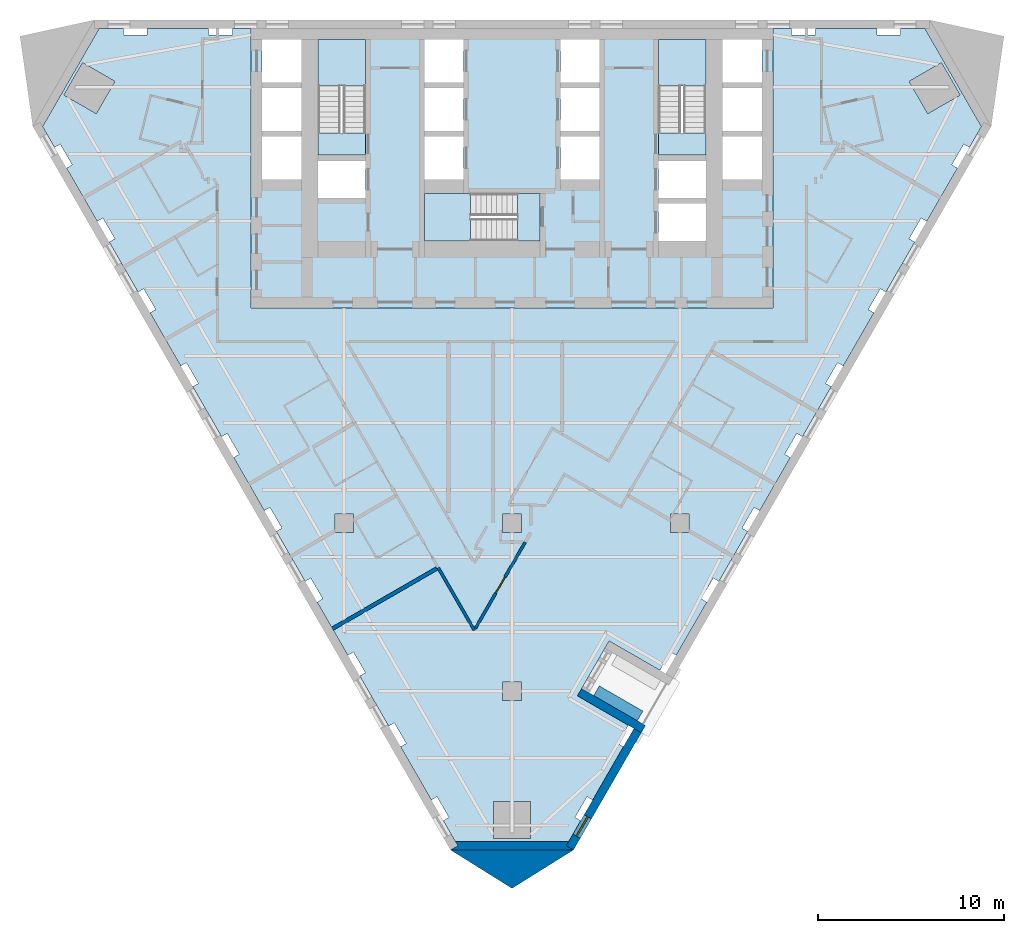
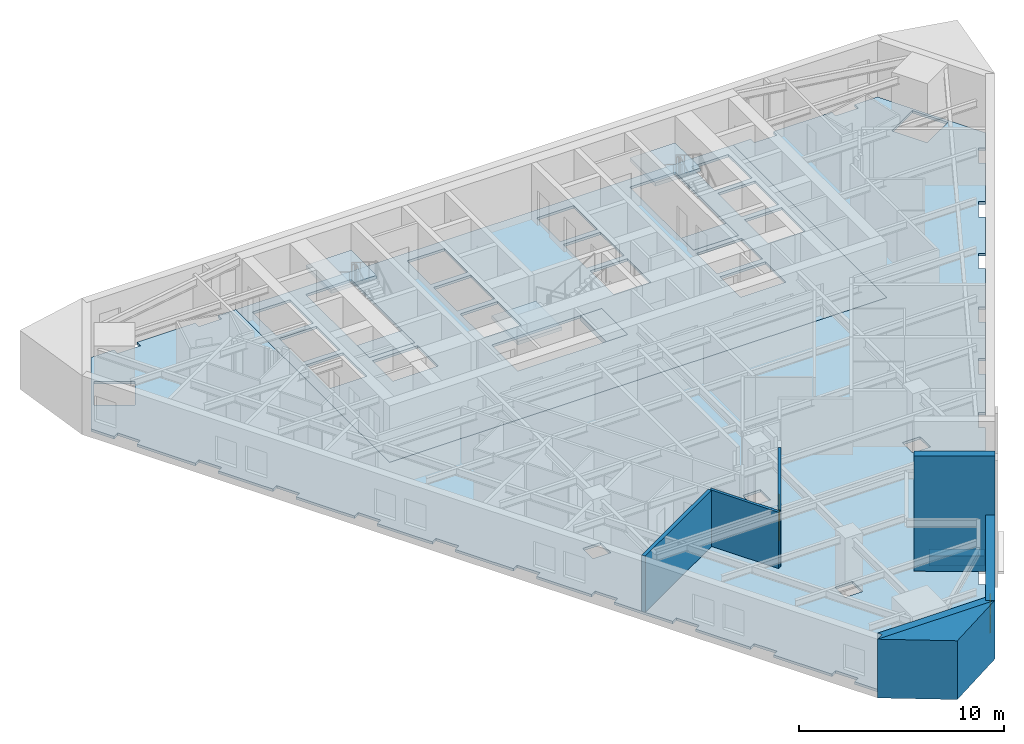
# One storey, part 2 of 11: 8 slabs, 8 walls, 1 door, 1 window, 2 openings, 3 elements without a shape of their own.
"""IFC4 building model written with IfcOpenShell, lengths in metres."""

import ifcopenshell
import ifcopenshell.guid

model = None  # the IFC model being written
_history = None  # IfcOwnerHistory: only IFC2X3 demands one
_inside = {}  # id of a spatial element -> (the spatial element, [elements in it])
_under = {}  # id of a project, library or spatial element -> (it, [spatial elements below it])
_declared = {}  # id of a project -> (the project, [libraries it declares])
_typed = {}  # id of a type object -> (the type object, [elements of that type])
_made_of = {}  # id of a material, layer set ... -> (it, [elements and type objects made of it])


def new_model(schema):
    """Start an empty IFC model of exactly this schema.

    Asked for "IFC4X3", IfcOpenShell would pick the latest addendum, in which some entities
    have other attributes; the version numbers below select the first issue.
    IFC2X3 requires an IfcOwnerHistory on every rooted entity: one is made here for all.
    """
    global model, _history
    if schema == "IFC4X3":
        model = ifcopenshell.file(schema_version=(4, 3, 0, 0))
    else:
        model = ifcopenshell.file(schema=schema)
    _inside.clear()
    _under.clear()
    _declared.clear()
    _typed.clear()
    _made_of.clear()
    _history = None
    if model.schema == "IFC2X3":
        org = make("IfcOrganization", Name="unknown")
        user = make(
            "IfcPersonAndOrganization",
            ThePerson=make("IfcPerson", FamilyName="unknown"),
            TheOrganization=org,
        )
        app = make(
            "IfcApplication",
            ApplicationDeveloper=org,
            Version="unknown",
            ApplicationFullName="unknown",
            ApplicationIdentifier="unknown",
        )
        _history = make(
            "IfcOwnerHistory",
            OwningUser=user,
            OwningApplication=app,
            ChangeAction="ADDED",
            CreationDate=0,
        )
    return model


def make(cls, **values):
    """One entity of the class cls with the attributes given. An attribute that is None is left unset."""
    return model.create_entity(
        cls, **{name: value for name, value in values.items() if value is not None}
    )


def rooted(cls, **values):
    """An entity with a GlobalId (a new one), such as an element, a storey or a relation."""
    return make(cls, GlobalId=ifcopenshell.guid.new(), OwnerHistory=_history, **values)


def si_unit(unit_type, name, prefix=None):
    """IfcSIUnit, for example si_unit("LENGTHUNIT", "METRE", prefix="MILLI")."""
    return make("IfcSIUnit", UnitType=unit_type, Prefix=prefix, Name=name)


def assignment(units):
    """IfcUnitAssignment: the units of a project."""
    return None if units is None else make("IfcUnitAssignment", Units=units)


def point(xyz):
    """IfcCartesianPoint."""
    return None if xyz is None else make("IfcCartesianPoint", Coordinates=xyz)


def direction(xyz):
    """IfcDirection."""
    return None if xyz is None else make("IfcDirection", DirectionRatios=xyz)


def frame(location, z_axis=None, x_axis=None):
    """IfcAxis2Placement3D, a coordinate frame: its origin and axes. An axis left out is left unset."""
    return make(
        "IfcAxis2Placement3D",
        Location=point(location),
        Axis=direction(z_axis),
        RefDirection=direction(x_axis),
    )


def frame_2d(location, x_axis=None):
    """IfcAxis2Placement2D, a coordinate frame in the plane: its origin and x axis."""
    return make(
        "IfcAxis2Placement2D", Location=point(location), RefDirection=direction(x_axis)
    )


def origin():
    """The frame at (0, 0, 0) with its axes left unset."""
    return frame((0.0, 0.0, 0.0))


def place(relative_to, where):
    """IfcLocalPlacement: puts the frame where relative to a parent placement (None: the world)."""
    return make(
        "IfcLocalPlacement", PlacementRelTo=relative_to, RelativePlacement=where
    )


def context(
    kind, dimensions, precision=None, world=None, true_north=None, identifier=None
):
    """IfcGeometricRepresentationContext, for example the 3D "Model" context."""
    return make(
        "IfcGeometricRepresentationContext",
        ContextIdentifier=identifier,
        ContextType=kind,
        CoordinateSpaceDimension=dimensions,
        Precision=precision,
        WorldCoordinateSystem=world,
        TrueNorth=true_north,
    )


def subcontext(parent, identifier, kind, view, scale=None):
    """IfcGeometricRepresentationSubContext, for example "Body" below "Model"."""
    return make(
        "IfcGeometricRepresentationSubContext",
        ContextIdentifier=identifier,
        ContextType=kind,
        ParentContext=parent,
        TargetScale=scale,
        TargetView=view,
    )


def project(units=None, contexts=None):
    """IfcProject with its units and contexts."""
    return rooted(
        "IfcProject",
        Name="project",
        RepresentationContexts=contexts,
        UnitsInContext=assignment(units),
    )


def spatial(cls, under=None, at=None, **own):
    """A site, building, storey or space (cls), placed at a placement, below another one or the project."""
    s = rooted(cls, ObjectPlacement=at, **own)
    if under is not None:
        _under.setdefault(under.id(), (under, []))[1].append(s)
    return s


def polyline(points):
    """IfcPolyline through the points."""
    return make("IfcPolyline", Points=[point(p) for p in points])


def profile(cls, at=None, kind="AREA", **sizes):
    """A parametric profile (cls). Its sizes go by their IFC names, for example OverallWidth=200.0."""
    return make(cls, ProfileType=kind, Position=at, **sizes)


def rectangle(**sizes):
    """IfcRectangleProfileDef."""
    return profile("IfcRectangleProfileDef", **sizes)


def outline(outer, holes=None, kind="AREA"):
    """IfcArbitraryClosedProfileDef: a profile drawn as a closed curve; with holes, ...WithVoids."""
    if holes is None:
        return make("IfcArbitraryClosedProfileDef", ProfileType=kind, OuterCurve=outer)
    return make(
        "IfcArbitraryProfileDefWithVoids",
        ProfileType=kind,
        OuterCurve=outer,
        InnerCurves=holes,
    )


def extrude(swept, where, along, depth):
    """IfcExtrudedAreaSolid: the profile swept, set in the frame where, extruded along a direction by depth."""
    return make(
        "IfcExtrudedAreaSolid",
        SweptArea=swept,
        Position=where,
        ExtrudedDirection=direction(along),
        Depth=depth,
    )


def shape(context_of_items, identifier, shape_type, items):
    """IfcShapeRepresentation: the items that make up one representation, for example the "Body"."""
    return make(
        "IfcShapeRepresentation",
        ContextOfItems=context_of_items,
        RepresentationIdentifier=identifier,
        RepresentationType=shape_type,
        Items=items,
    )


def material(Name=None, Category=None):
    """IfcMaterial."""
    return make("IfcMaterial", Name=Name, Category=Category)


def layer(
    of_material, thickness, ventilated=None, Name=None, Category=None, Priority=None
):
    """IfcMaterialLayer: one layer of a wall or slab, of a material (None: an air gap)."""
    return make(
        "IfcMaterialLayer",
        Material=of_material,
        LayerThickness=thickness,
        IsVentilated=ventilated,
        Name=Name,
        Category=Category,
        Priority=Priority,
    )


def layer_set(layers, Name=None):
    """IfcMaterialLayerSet."""
    return make("IfcMaterialLayerSet", MaterialLayers=layers, LayerSetName=Name)


def made_of(thing, what):
    """Note that an element or type object is made of a material, layer set ...; save() writes the relation."""
    if what is not None:
        _made_of.setdefault(what.id(), (what, []))[1].append(thing)
    return thing


def type_object(cls, material=None, **own):
    """A type object (cls), such as IfcWallType, which elements share."""
    return made_of(rooted(cls, **own), material)


def element(
    cls,
    number,
    at=None,
    inside=None,
    cuts=None,
    type_object=None,
    material=None,
    context=None,
    identifier="Body",
    shape_type=None,
    held_by="IfcProductDefinitionShape",
    body=None,
    shapes=None,
    **own,
):
    """One element of the class cls, such as IfcWall. Its Tag is "e" and its number.

    at: its placement. inside: the storey or other place that contains it. cuts: it is an
    opening in that element (IfcRelVoidsElement). A single representation is given by context,
    identifier, shape_type and body (its items); several are given by shapes. held_by: the class
    of the entity that holds the representations. save() writes the other relations.
    """
    e = rooted(cls, Tag="e%d" % number, ObjectPlacement=at, **own)
    if body is not None:
        shapes = [shape(context, identifier, shape_type, body)]
    if shapes is not None:
        e.Representation = make(held_by, Representations=shapes)
    if inside is not None:
        _inside.setdefault(inside.id(), (inside, []))[1].append(e)
    if cuts is not None:
        rooted(
            "IfcRelVoidsElement", RelatingBuildingElement=cuts, RelatedOpeningElement=e
        )
    if type_object is not None:
        _typed.setdefault(type_object.id(), (type_object, []))[1].append(e)
    return made_of(e, material)


def fill(opening, filler):
    """IfcRelFillsElement: the door or window that sits in an opening."""
    return rooted(
        "IfcRelFillsElement",
        RelatingOpeningElement=opening,
        RelatedBuildingElement=filler,
    )


def aggregate(whole, parts):
    """IfcRelAggregates: a whole, such as a stair, and the parts it consists of."""
    return rooted("IfcRelAggregates", RelatingObject=whole, RelatedObjects=parts)


def save(model, path):
    """Write the relations noted so far, then the file.

    IfcRelAggregates (storeys below a building ...), IfcRelContainedInSpatialStructure (elements
    in a storey), IfcRelDefinesByType, IfcRelAssociatesMaterial and IfcRelDeclares: one each for
    every whole, place, type object, material and project.
    """
    for whole, parts in _under.values():
        aggregate(whole, parts)
    for where, things in _inside.values():
        rooted(
            "IfcRelContainedInSpatialStructure",
            RelatedElements=things,
            RelatingStructure=where,
        )
    for kind, things in _typed.values():
        rooted("IfcRelDefinesByType", RelatedObjects=things, RelatingType=kind)
    for what, things in _made_of.values():
        rooted("IfcRelAssociatesMaterial", RelatedObjects=things, RelatingMaterial=what)
    for by, libraries in _declared.values():
        rooted("IfcRelDeclares", RelatingContext=by, RelatedDefinitions=libraries)
    model.write(path)


model = new_model("IFC4")

# Units and contexts
model_context = context("Model", 3, precision=1e-05, world=origin(), true_north=direction((0.0, 1.0)))
body_context = subcontext(model_context, "Body", "Model", "MODEL_VIEW")
ifc_project = project(units=[si_unit("LENGTHUNIT", "METRE"), si_unit("AREAUNIT", "SQUARE_METRE"), si_unit("VOLUMEUNIT", "CUBIC_METRE"), si_unit("PLANEANGLEUNIT", "RADIAN"), si_unit("MASSUNIT", "GRAM", prefix="KILO")], contexts=[model_context])

# Site, building, storey
site_placement = place(None, origin())
site = spatial("IfcSite", under=ifc_project, at=site_placement, CompositionType="ELEMENT")
building_placement = place(site_placement, origin())
building = spatial("IfcBuilding", under=site, at=building_placement, Name="Aloe Facet Convention Tower", CompositionType="ELEMENT")
storey_placement = place(building_placement, frame((0.0, 0.0, 66.5)))
storey = spatial("IfcBuildingStorey", under=building, at=storey_placement, Name="L15", CompositionType="ELEMENT", Elevation=66.5)

# Slabs
ifc_material_1 = material(Name="Concrete C80/95", Category="concrete")
ifc_layer_1 = layer(ifc_material_1, 0.14990234375)
ifc_layer_set_1 = layer_set([ifc_layer_1], Name="CR-S-FLOOR150-C8095")
slab_type_1 = type_object("IfcSlabType", Name="CR-S-FLOOR150-C8095", PredefinedType="FLOOR", material=ifc_layer_set_1)
slab_1_placement = place(storey_placement, frame((0.0, 0.0, -0.14990234375)))
element("IfcSlab", 1, at=slab_1_placement, inside=storey, type_object=slab_type_1, Name="Core floor L15", PredefinedType="FLOOR", context=body_context, shape_type="SweptSolid", body=[
    extrude(outline(polyline([(69.300048828125, 134.550048828125), (71.85009765625, 134.550048828125), (72.75, 134.550048828125), (74.699951171875, 134.550048828125), (75.60009765625, 134.550048828125), (77.10009765625, 134.550048828125), (78.0, 134.550048828125), (82.0, 134.550048828125), (82.89990234375, 134.550048828125), (84.39990234375, 134.550048828125), (85.300048828125, 134.550048828125), (87.25, 134.550048828125), (88.14990234375, 134.550048828125), (90.699951171875, 134.550048828125), (91.0, 134.550048828125), (94.0, 134.550048828125), (94.0, 131.949951171875), (94.0, 131.050048828125), (94.0, 129.35009765625), (94.0, 128.449951171875), (94.0, 126.449951171875), (94.0, 125.85009765625), (94.0, 124.949951171875), (94.0, 123.89990234375), (94.0, 122.871337890625), (94.0, 121.821533203125), (94.0, 119.550048828125), (91.300048828125, 119.550048828125), (90.699951171875, 119.550048828125), (89.60009765625, 119.550048828125), (88.550048828125, 119.550048828125), (87.89990234375, 119.550048828125), (86.85009765625, 119.550048828125), (85.699951171875, 119.550048828125), (84.64990234375, 119.550048828125), (83.699951171875, 119.550048828125), (82.64990234375, 119.550048828125), (81.75, 119.550048828125), (80.699951171875, 119.550048828125), (78.550048828125, 119.550048828125), (77.5, 119.550048828125), (75.35009765625, 119.550048828125), (74.300048828125, 119.550048828125), (73.14990234375, 119.550048828125), (72.10009765625, 119.550048828125), (69.300048828125, 119.550048828125), (66.0, 119.550048828125), (66.0, 121.5), (66.0, 122.550048828125), (66.0, 123.449951171875), (66.0, 124.5), (66.0, 125.85009765625), (66.0, 126.449951171875), (66.0, 128.449951171875), (66.0, 129.35009765625), (66.0, 131.050048828125), (66.0, 131.949951171875), (66.0, 134.550048828125), (69.0, 134.550048828125), (69.300048828125, 134.550048828125)]), holes=[polyline([(75.300048828125, 123.14990234375), (80.298828125, 123.14990234375), (81.5, 123.14990234375), (81.5, 125.699951171875), (80.298828125, 125.699951171875), (75.300048828125, 125.699951171875), (75.300048828125, 123.14990234375)]), polyline([(69.60009765625, 125.449951171875), (72.14990234375, 125.449951171875), (72.14990234375, 127.449951171875), (69.60009765625, 127.449951171875), (69.60009765625, 125.449951171875)]), polyline([(66.60009765625, 126.449951171875), (68.699951171875, 126.449951171875), (68.699951171875, 128.75), (66.60009765625, 128.75), (66.60009765625, 126.449951171875)]), polyline([(75.300048828125, 126.449951171875), (77.39990234375, 126.449951171875), (77.39990234375, 128.75), (75.300048828125, 128.75), (75.300048828125, 126.449951171875)]), polyline([(66.60009765625, 129.050048828125), (68.699951171875, 129.050048828125), (68.699951171875, 131.35009765625), (66.60009765625, 131.35009765625), (66.60009765625, 129.050048828125)]), polyline([(75.300048828125, 129.050048828125), (77.39990234375, 129.050048828125), (77.39990234375, 131.35009765625), (75.300048828125, 131.35009765625), (75.300048828125, 129.050048828125)]), polyline([(69.60009765625, 133.949951171875), (69.60009765625, 128.951171875), (69.60009765625, 127.75), (72.14990234375, 127.75), (72.14990234375, 128.951171875), (72.14990234375, 133.949951171875), (69.60009765625, 133.949951171875)]), polyline([(66.60009765625, 133.949951171875), (66.60009765625, 131.64990234375), (68.699951171875, 131.64990234375), (68.699951171875, 133.949951171875), (66.60009765625, 133.949951171875)]), polyline([(75.300048828125, 133.949951171875), (75.300048828125, 131.64990234375), (77.39990234375, 131.64990234375), (77.39990234375, 133.949951171875), (75.300048828125, 133.949951171875)]), polyline([(87.85009765625, 123.14990234375), (90.39990234375, 123.14990234375), (90.39990234375, 125.14990234375), (87.85009765625, 125.14990234375), (87.85009765625, 123.14990234375)]), polyline([(87.85009765625, 125.449951171875), (90.39990234375, 125.449951171875), (90.39990234375, 127.449951171875), (87.85009765625, 127.449951171875), (87.85009765625, 125.449951171875)]), polyline([(82.60009765625, 126.449951171875), (84.699951171875, 126.449951171875), (84.699951171875, 128.75), (82.60009765625, 128.75), (82.60009765625, 126.449951171875)]), polyline([(91.300048828125, 126.449951171875), (93.39990234375, 126.449951171875), (93.39990234375, 128.75), (91.300048828125, 128.75), (91.300048828125, 126.449951171875)]), polyline([(82.60009765625, 129.050048828125), (84.699951171875, 129.050048828125), (84.699951171875, 131.35009765625), (82.60009765625, 131.35009765625), (82.60009765625, 129.050048828125)]), polyline([(91.300048828125, 129.050048828125), (93.39990234375, 129.050048828125), (93.39990234375, 131.35009765625), (91.300048828125, 131.35009765625), (91.300048828125, 129.050048828125)]), polyline([(87.85009765625, 133.949951171875), (87.85009765625, 128.951171875), (87.85009765625, 127.75), (90.39990234375, 127.75), (90.39990234375, 128.951171875), (90.39990234375, 133.949951171875), (87.85009765625, 133.949951171875)]), polyline([(82.60009765625, 133.949951171875), (82.60009765625, 131.64990234375), (84.699951171875, 131.64990234375), (84.699951171875, 133.949951171875), (82.60009765625, 133.949951171875)]), polyline([(91.300048828125, 133.949951171875), (91.300048828125, 131.64990234375), (93.39990234375, 131.64990234375), (93.39990234375, 133.949951171875), (91.300048828125, 133.949951171875)])]), origin(), (0.0, 0.0, 1.0), 0.14990234375),
])
ifc_material_2 = material(Name="Concrete C80/95", Category="concrete")
ifc_layer_2 = layer(ifc_material_2, 0.300048828125)
ifc_layer_set_2 = layer_set([ifc_layer_2], Name="CR-S-FLOOR300-C8095")
slab_type_2 = type_object("IfcSlabType", Name="CR-S-FLOOR300-C8095", PredefinedType="FLOOR", material=ifc_layer_set_2)
slab_2_placement = place(storey_placement, frame((0.0, 0.0, -0.300048828125)))
element("IfcSlab", 2, at=slab_2_placement, inside=storey, type_object=slab_type_2, Name="Stair landing floor L15", PredefinedType="FLOOR", context=body_context, shape_type="SweptSolid", body=[
    extrude(outline(polyline([(72.14990234375, 127.75), (72.14990234375, 128.951171875), (69.60009765625, 128.951171875), (69.60009765625, 127.75), (72.14990234375, 127.75)])), origin(), (0.0, 0.0, 1.0), 0.300048828125),
])
slab_3_placement = place(storey_placement, frame((0.0, 0.0, -0.300048828125)))
element("IfcSlab", 3, at=slab_3_placement, inside=storey, type_object=slab_type_2, Name="Stair landing floor L15", PredefinedType="FLOOR", context=body_context, shape_type="SweptSolid", body=[
    extrude(outline(polyline([(90.39990234375, 127.75), (90.39990234375, 128.951171875), (87.85009765625, 128.951171875), (87.85009765625, 127.75), (90.39990234375, 127.75)])), origin(), (0.0, 0.0, 1.0), 0.300048828125),
])
slab_4_placement = place(storey_placement, frame((0.0, 0.0, -0.300048828125)))
element("IfcSlab", 4, at=slab_4_placement, inside=storey, type_object=slab_type_2, Name="Stair landing floor L15", PredefinedType="FLOOR", context=body_context, shape_type="SweptSolid", body=[
    extrude(outline(polyline([(81.5, 125.699951171875), (80.298828125, 125.699951171875), (80.298828125, 123.14990234375), (81.5, 123.14990234375), (81.5, 125.699951171875)])), origin(), (0.0, 0.0, 1.0), 0.300048828125),
])

# Stair, slab
ifc_material_3 = material(Name="Concrete C50/60", Category="concrete")
stair_type = type_object("IfcStairType", Name="CR-ST-20R", PredefinedType="HALF_TURN_STAIR", material=ifc_material_3)
stair_1_placement = place(storey_placement, origin())
stair_1 = element("IfcStair", 5, at=stair_1_placement, inside=storey, type_object=stair_type, Name="L15 Protected exit stair ST1", PredefinedType="HALF_TURN_STAIR")
ifc_material_4 = material(Name="Concrete C50/60", Category="concrete")
ifc_layer_3 = layer(ifc_material_4, 0.199951171875)
ifc_layer_set_3 = layer_set([ifc_layer_3], Name="CR-SL-LANDING")
slab_type_3 = type_object("IfcSlabType", Name="CR-SL-LANDING", PredefinedType="LANDING", material=ifc_layer_set_3)
slab_5_placement = place(storey_placement, frame((0.0, 0.0, 1.550048828125)))
slab_5 = element("IfcSlab", 6, at=slab_5_placement, type_object=slab_type_3, Name="ST1 landing 1", PredefinedType="LANDING", context=body_context, shape_type="SweptSolid", body=[
    extrude(outline(polyline([(72.14990234375, 131.469970703125), (72.14990234375, 133.949951171875), (69.60009765625, 133.949951171875), (69.60009765625, 131.469970703125), (72.14990234375, 131.469970703125)])), origin(), (0.0, 0.0, 1.0), 0.199951171875),
])
aggregate(stair_1, [slab_5])

stair_2_placement = place(storey_placement, origin())
stair_2 = element("IfcStair", 7, at=stair_2_placement, inside=storey, type_object=stair_type, Name="L15 Protected exit stair ST2", PredefinedType="HALF_TURN_STAIR")
slab_6_placement = place(storey_placement, frame((0.0, 0.0, 1.550048828125)))
slab_6 = element("IfcSlab", 8, at=slab_6_placement, type_object=slab_type_3, Name="ST2 landing 1", PredefinedType="LANDING", context=body_context, shape_type="SweptSolid", body=[
    extrude(outline(polyline([(90.39990234375, 131.469970703125), (90.39990234375, 133.949951171875), (87.85009765625, 133.949951171875), (87.85009765625, 131.469970703125), (90.39990234375, 131.469970703125)])), origin(), (0.0, 0.0, 1.0), 0.199951171875),
])
aggregate(stair_2, [slab_6])

stair_3_placement = place(storey_placement, origin())
stair_3 = element("IfcStair", 9, at=stair_3_placement, inside=storey, type_object=stair_type, Name="L15 Protected exit stair ST3", PredefinedType="HALF_TURN_STAIR")
slab_7_placement = place(storey_placement, frame((0.0, 0.0, 1.550048828125)))
slab_7 = element("IfcSlab", 10, at=slab_7_placement, type_object=slab_type_3, Name="ST3 landing 1", PredefinedType="LANDING", context=body_context, shape_type="SweptSolid", body=[
    extrude(outline(polyline([(77.780029296875, 125.699951171875), (75.300048828125, 125.699951171875), (75.300048828125, 123.14990234375), (77.780029296875, 123.14990234375), (77.780029296875, 125.699951171875)])), origin(), (0.0, 0.0, 1.0), 0.199951171875),
])
aggregate(stair_3, [slab_7])

# Slab
ifc_material_5 = material(Name="Concrete C35/45", Category="concrete")
ifc_layer_4 = layer(ifc_material_5, 0.14990234375)
ifc_layer_set_4 = layer_set([ifc_layer_4], Name="SF-FS-150")
slab_type_4 = type_object("IfcSlabType", Name="SF-FS-150", PredefinedType="FLOOR", material=ifc_layer_set_4)
slab_8_placement = place(storey_placement, frame((0.0, 0.0, -0.14990234375)))
element("IfcSlab", 11, at=slab_8_placement, inside=storey, type_object=slab_type_4, Name="Floor slab L15-1", PredefinedType="FLOOR", context=body_context, shape_type="SweptSolid", body=[
    extrude(outline(polyline([(76.959716796875, 90.936279296875), (76.314453125, 92.053955078125), (76.61767578125, 92.22900390625), (75.97607421875, 93.34033203125), (75.6728515625, 93.165283203125), (74.026611328125, 96.016845703125), (74.32958984375, 96.19189453125), (73.68798828125, 97.30322265625), (73.385009765625, 97.128173828125), (71.83447265625, 99.8134765625), (72.1376953125, 99.988525390625), (71.49609375, 101.099853515625), (71.19287109375, 100.9248046875), (69.54638671875, 103.776611328125), (69.849609375, 103.951416015625), (69.2080078125, 105.062744140625), (68.90478515625, 104.8876953125), (67.3544921875, 107.572998046875), (67.65771484375, 107.748046875), (67.01611328125, 108.859619140625), (66.712890625, 108.6845703125), (65.06640625, 111.5361328125), (65.36962890625, 111.711181640625), (64.72802734375, 112.822509765625), (64.4248046875, 112.6474609375), (62.87451171875, 115.332763671875), (63.177490234375, 115.5078125), (62.535888671875, 116.619140625), (62.23291015625, 116.444091796875), (60.58642578125, 119.295654296875), (60.8896484375, 119.470703125), (60.248046875, 120.58203125), (59.94482421875, 120.406982421875), (58.39453125, 123.09228515625), (58.697509765625, 123.267333984375), (58.055908203125, 124.378662109375), (57.7529296875, 124.20361328125), (56.1064453125, 127.05517578125), (56.40966796875, 127.230224609375), (55.76806640625, 128.341552734375), (55.46484375, 128.16650390625), (54.819580078125, 129.2841796875), (57.85986328125, 134.550048828125), (59.150390625, 134.550048828125), (59.150390625, 134.199951171875), (60.43359375, 134.199951171875), (60.43359375, 134.550048828125), (63.726318359375, 134.550048828125), (63.726318359375, 134.199951171875), (65.009521484375, 134.199951171875), (65.009521484375, 134.550048828125), (66.0, 134.550048828125), (66.0, 131.949951171875), (66.0, 131.050048828125), (66.0, 129.35009765625), (66.0, 128.449951171875), (66.0, 126.449951171875), (66.0, 125.85009765625), (66.0, 124.5), (66.0, 123.449951171875), (66.0, 122.550048828125), (66.0, 121.5), (66.0, 119.550048828125), (69.300048828125, 119.550048828125), (72.10009765625, 119.550048828125), (73.14990234375, 119.550048828125), (74.300048828125, 119.550048828125), (75.35009765625, 119.550048828125), (77.5, 119.550048828125), (78.550048828125, 119.550048828125), (80.699951171875, 119.550048828125), (81.75, 119.550048828125), (82.64990234375, 119.550048828125), (83.699951171875, 119.550048828125), (84.64990234375, 119.550048828125), (85.699951171875, 119.550048828125), (86.85009765625, 119.550048828125), (87.89990234375, 119.550048828125), (88.550048828125, 119.550048828125), (89.60009765625, 119.550048828125), (90.699951171875, 119.550048828125), (91.300048828125, 119.550048828125), (94.0, 119.550048828125), (94.0, 121.8212890625), (94.0, 122.871337890625), (94.0, 123.89990234375), (94.0, 124.949951171875), (94.0, 125.85009765625), (94.0, 126.449951171875), (94.0, 128.449951171875), (94.0, 129.35009765625), (94.0, 131.050048828125), (94.0, 131.949951171875), (94.0, 134.550048828125), (94.990478515625, 134.550048828125), (94.990478515625, 134.199951171875), (96.273681640625, 134.199951171875), (96.273681640625, 134.550048828125), (99.56640625, 134.550048828125), (99.56640625, 134.199951171875), (100.849609375, 134.199951171875), (100.849609375, 134.550048828125), (102.14013671875, 134.550048828125), (105.180419921875, 129.2841796875), (104.53515625, 128.16650390625), (104.23193359375, 128.341552734375), (103.59033203125, 127.230224609375), (103.8935546875, 127.05517578125), (102.2470703125, 124.20361328125), (101.944091796875, 124.378662109375), (101.302490234375, 123.267333984375), (101.60546875, 123.09228515625), (100.05517578125, 120.406982421875), (99.751953125, 120.58203125), (99.1103515625, 119.470703125), (99.41357421875, 119.295654296875), (97.76708984375, 116.444091796875), (97.464111328125, 116.619140625), (96.822509765625, 115.5078125), (97.12548828125, 115.332763671875), (95.5751953125, 112.6474609375), (95.27197265625, 112.822509765625), (94.63037109375, 111.711181640625), (94.93359375, 111.5361328125), (93.287109375, 108.6845703125), (92.98388671875, 108.859619140625), (92.34228515625, 107.748046875), (92.6455078125, 107.572998046875), (91.09521484375, 104.8876953125), (90.7919921875, 105.062744140625), (90.150390625, 103.951416015625), (90.45361328125, 103.776611328125), (88.80712890625, 100.9248046875), (88.50390625, 101.099853515625), (87.937255859375, 100.1181640625), (85.209228515625, 101.693115234375), (83.50927734375, 98.74853515625), (86.2373046875, 97.173583984375), (85.67041015625, 96.19189453125), (85.973388671875, 96.016845703125), (84.3271484375, 93.165283203125), (84.02392578125, 93.34033203125), (83.38232421875, 92.22900390625), (83.685546875, 92.053955078125), (83.040283203125, 90.936279296875), (76.959716796875, 90.936279296875)]), holes=[polyline([(80.5, 98.5), (80.5, 99.5), (79.5, 99.5), (79.5, 98.5), (80.5, 98.5)]), polyline([(80.5, 107.5), (80.5, 108.5), (79.5, 108.5), (79.5, 107.5), (80.5, 107.5)]), polyline([(71.5, 107.5), (71.5, 108.5), (70.5, 108.5), (70.5, 107.5), (71.5, 107.5)]), polyline([(58.70166015625, 131.7080078125), (56.969482421875, 132.7080078125), (55.969482421875, 130.97607421875), (57.70166015625, 129.97607421875), (58.70166015625, 131.7080078125)]), polyline([(79.0, 91.086181640625), (81.0, 91.086181640625), (81.0, 93.086181640625), (79.0, 93.086181640625), (79.0, 91.086181640625)]), polyline([(89.5, 107.5), (89.5, 108.5), (88.5, 108.5), (88.5, 107.5), (89.5, 107.5)]), polyline([(102.29833984375, 129.97607421875), (104.030517578125, 130.97607421875), (103.030517578125, 132.7080078125), (101.29833984375, 131.7080078125), (102.29833984375, 129.97607421875)])]), origin(), (0.0, 0.0, 1.0), 0.14990234375),
])

# Walls
ifc_material_6 = material(Name="Precast concrete C40/50", Category="concrete")
ifc_layer_5 = layer(ifc_material_6, 0.60009765625)
ifc_layer_set_5 = layer_set([ifc_layer_5], Name="EV-PLANTER")
wall_type_1 = type_object("IfcWallType", Name="EV-PLANTER", PredefinedType="STANDARD", material=ifc_layer_set_5)
wall_1_placement = place(storey_placement, frame((86.8720703125, 97.673095703125, 0.0), z_axis=(0.0, 0.0, 1.0), x_axis=(-0.866019956843, 0.50000943426, 0.0)))
element("IfcWall", 12, at=wall_1_placement, inside=storey, type_object=wall_type_1, Name="PLANTER T03-1", PredefinedType="STANDARD", context=body_context, shape_type="SweptSolid", body=[
    extrude(rectangle(XDim=2.7001953125, YDim=0.60009765625, at=frame_2d((1.35009765625, 0.0))), origin(), (0.0, 0.0, 1.0), 0.60009765625),
])
ifc_material_7 = material(Name="Precast concrete C40/50", Category="concrete")
ifc_layer_6 = layer(ifc_material_7, 0.449951171875)
ifc_layer_set_6 = layer_set([ifc_layer_6], Name="EV-WALL-PIER")
wall_type_2 = type_object("IfcWallType", Name="EV-WALL-PIER", PredefinedType="SOLIDWALL", material=ifc_layer_set_6)
wall_2_placement = place(storey_placement, frame((0.0, 0.0, -0.14990234375)))
element("IfcWall", 13, at=wall_2_placement, inside=storey, type_object=wall_type_2, Name="EP-L15-B", PredefinedType="SOLIDWALL", context=body_context, shape_type="SweptSolid", body=[
    extrude(outline(polyline([(76.699951171875, 90.486328125), (77.089599609375, 90.711181640625), (76.959716796875, 90.936279296875), (83.040283203125, 90.936279296875), (82.910400390625, 90.711181640625), (83.300048828125, 90.486328125), (76.699951171875, 90.486328125)])), origin(), (0.0, 0.0, 1.0), 3.5),
])
ifc_material_8 = material(Name="Precast concrete C40/50", Category="concrete")
ifc_layer_7 = layer(ifc_material_8, 3.947998046875)
ifc_layer_set_7 = layer_set([ifc_layer_7], Name="EV-WALL-SPINE")
wall_type_3 = type_object("IfcWallType", Name="EV-WALL-SPINE", PredefinedType="SOLIDWALL", material=ifc_layer_set_7)
wall_3_placement = place(storey_placement, frame((0.0, 0.0, -0.14990234375)))
element("IfcWall", 14, at=wall_3_placement, inside=storey, type_object=wall_type_3, Name="SP-S-L15", PredefinedType="SOLIDWALL", context=body_context, shape_type="SweptSolid", body=[
    extrude(outline(polyline([(76.699951171875, 90.486328125), (80.0, 88.4228515625), (83.300048828125, 90.486328125), (76.699951171875, 90.486328125)])), origin(), (0.0, 0.0, 1.0), 3.5),
])

# Wall, opening, window
ifc_material_9 = material(Name="Precast concrete C40/50", Category="concrete")
ifc_layer_8 = layer(ifc_material_9, 0.449951171875)
ifc_layer_set_8 = layer_set([ifc_layer_8], Name="EV-WALL-STONE")
wall_type_4 = type_object("IfcWallType", Name="EV-WALL-STONE", PredefinedType="SOLIDWALL", material=ifc_layer_set_8)
wall_4_placement = place(storey_placement, frame((83.105224609375, 90.598876953125, -0.14990234375), z_axis=(0.0, 0.0, 1.0), x_axis=(0.4999873519, 0.866032706045, 0.0)))
wall_4 = element("IfcWall", 15, at=wall_4_placement, inside=storey, type_object=wall_type_4, Name="EW-L15-E01", PredefinedType="SOLIDWALL", context=body_context, shape_type="SweptSolid", body=[
    extrude(outline(polyline([(0.0, 0.0), (0.0, 3.5), (7.260009765625, 3.5), (7.260009765625, 0.0), (0.0, 0.0)])), frame((0.0, 0.22509765625, 0.0), z_axis=(0.0, -1.0, 0.0), x_axis=(1.0, 0.0, 0.0)), (0.0, 0.0, 1.0), 0.449951171875),
])
opening_1_placement = place(wall_4_placement, frame((0.72216796875, 0.0, 1.050048828125)))
opening_1 = element("IfcOpeningElement", 16, at=opening_1_placement, cuts=wall_4, Name="Opening W-L15-E01", PredefinedType="OPENING", context=body_context, shape_type="SweptSolid", body=[
    extrude(rectangle(XDim=1.199951171875, YDim=1.5, at=frame_2d((0.60009765625, 0.75))), frame((0.0, 0.23486328125, 0.0), z_axis=(0.0, -1.0, 0.0), x_axis=(1.0, 0.0, 0.0)), (0.0, 0.0, 1.0), 0.469970703125),
])
ifc_material_10 = material(Name="Aluminium frame, clear double glazing", Category="aluminium")
window_type = type_object("IfcWindowType", Name="EV-WIN-H12", PartitioningType="SINGLE_PANEL", PredefinedType="WINDOW", material=ifc_material_10)
window_placement = place(opening_1_placement, origin())
window = element("IfcWindow", 17, at=window_placement, inside=storey, type_object=window_type, Name="W-L15-E01", OverallHeight=1.5, OverallWidth=1.199951171875, PartitioningType="SINGLE_PANEL", PredefinedType="WINDOW", context=body_context, shape_type="SweptSolid", body=[
    extrude(rectangle(XDim=1.199951171875, YDim=1.5, at=frame_2d((0.60009765625, 0.75))), frame((0.0, 0.030029296875, 0.0), z_axis=(0.0, -1.0, 0.0), x_axis=(1.0, 0.0, 0.0)), (0.0, 0.0, 1.0), 0.06005859375),
])
fill(opening_1, window)

# Walls
wall_5_placement = place(storey_placement, frame((87.04248046875, 96.968505859375, 0.0), z_axis=(0.0, 0.0, 1.0), x_axis=(-0.866020906874, 0.500007788796, 0.0)))
element("IfcWall", 18, at=wall_5_placement, inside=storey, type_object=wall_type_4, Name="TW-T03-1", PredefinedType="SOLIDWALL", context=body_context, shape_type="SweptSolid", body=[
    extrude(rectangle(XDim=3.9501953125, YDim=0.449951171875, at=frame_2d((1.97509765625, 0.0))), origin(), (0.0, 0.0, 1.0), 6.85009765625),
])
ifc_material_11 = material(Name="Gypsum board partition on steel studs", Category="steel")
ifc_layer_9 = layer(ifc_material_11, 0.14990234375)
ifc_layer_set_9 = layer_set([ifc_layer_9], Name="IN-W-CORR")
wall_type_5 = type_object("IfcWallType", Name="IN-W-CORR", PredefinedType="PARTITIONING", material=ifc_layer_set_9)
wall_6_placement = place(storey_placement, frame((76.042236328125, 105.625732421875, 0.0), z_axis=(0.0, 0.0, 1.0), x_axis=(0.499975198775, -0.866039722305, 0.0)))
element("IfcWall", 19, at=wall_6_placement, inside=storey, type_object=wall_type_5, Name="Partition L15-W001", PredefinedType="PARTITIONING", context=body_context, shape_type="SweptSolid", body=[
    extrude(rectangle(XDim=3.874267578125, YDim=0.14990234375, at=frame_2d((1.93701171875, 0.0))), origin(), (0.0, 0.0, 1.0), 3.35009765625),
])

# Wall, opening, door
wall_7_placement = place(storey_placement, frame((78.044189453125, 102.383056640625, 0.0), z_axis=(0.0, 0.0, 1.0), x_axis=(0.49999069416, 0.866030776447, 0.0)))
wall_7 = element("IfcWall", 20, at=wall_7_placement, inside=storey, type_object=wall_type_5, Name="Partition L15-W010", PredefinedType="PARTITIONING", context=body_context, shape_type="SweptSolid", body=[
    extrude(rectangle(XDim=5.3310546875, YDim=0.14990234375, at=frame_2d((2.66552734375, 0.0))), origin(), (0.0, 0.0, 1.0), 3.35009765625),
])
opening_2_placement = place(wall_7_placement, frame((2.16552734375, 0.0, 0.0)))
opening_2 = element("IfcOpeningElement", 21, at=opening_2_placement, cuts=wall_7, Name="Opening L15-011", PredefinedType="OPENING", context=body_context, shape_type="SweptSolid", body=[
    extrude(rectangle(XDim=1.0, YDim=2.10009765625, at=frame_2d((0.5, 1.050048828125))), frame((0.0, 0.0849609375, 0.0), z_axis=(0.0, -1.0, 0.0), x_axis=(1.0, 0.0, 0.0)), (0.0, 0.0, 1.0), 0.169921875),
])
ifc_material_12 = material(Name="Hardwood flush door FD30S", Category="wood")
door_type = type_object("IfcDoorType", Name="IN-D-WIDE", OperationType="SINGLE_SWING_LEFT", PredefinedType="DOOR", material=ifc_material_12)
door_placement = place(opening_2_placement, origin())
door = element("IfcDoor", 22, at=door_placement, inside=storey, type_object=door_type, Name="Door L15-011", OperationType="SINGLE_SWING_LEFT", OverallHeight=2.10009765625, OverallWidth=1.0, PredefinedType="DOOR", context=body_context, shape_type="SweptSolid", body=[
    extrude(rectangle(XDim=1.0, YDim=2.10009765625, at=frame_2d((0.5, 1.050048828125))), frame((0.0, 0.02490234375, 0.0), z_axis=(0.0, -1.0, 0.0), x_axis=(1.0, 0.0, 0.0)), (0.0, 0.0, 1.0), 0.050048828125),
])
fill(opening_2, door)

# Wall
ifc_material_13 = material(Name="Gypsum board partition on steel studs", Category="steel")
ifc_layer_10 = layer(ifc_material_13, 0.199951171875)
ifc_layer_set_10 = layer_set([ifc_layer_10], Name="IN-W-PARTY")
wall_type_6 = type_object("IfcWallType", Name="IN-W-PARTY", PredefinedType="PARTITIONING", material=ifc_layer_set_10)
wall_8_placement = place(storey_placement, frame((70.36962890625, 102.3505859375, 0.0), z_axis=(0.0, 0.0, 1.0), x_axis=(0.866015162859, 0.500017737384, 0.0)))
element("IfcWall", 23, at=wall_8_placement, inside=storey, type_object=wall_type_6, Name="Partition L15-W002", PredefinedType="PARTITIONING", context=body_context, shape_type="SweptSolid", body=[
    extrude(rectangle(XDim=6.465087890625, YDim=0.199951171875, at=frame_2d((3.232421875, 0.0))), origin(), (0.0, 0.0, 1.0), 3.35009765625),
])

save(model, "model.ifc")
